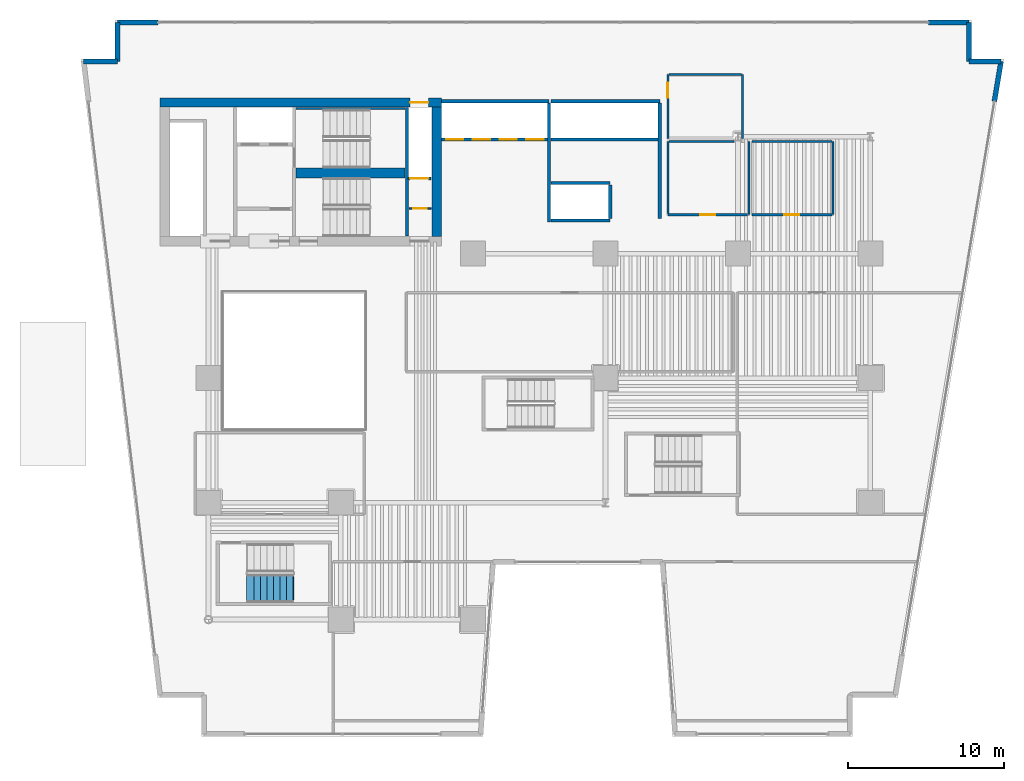
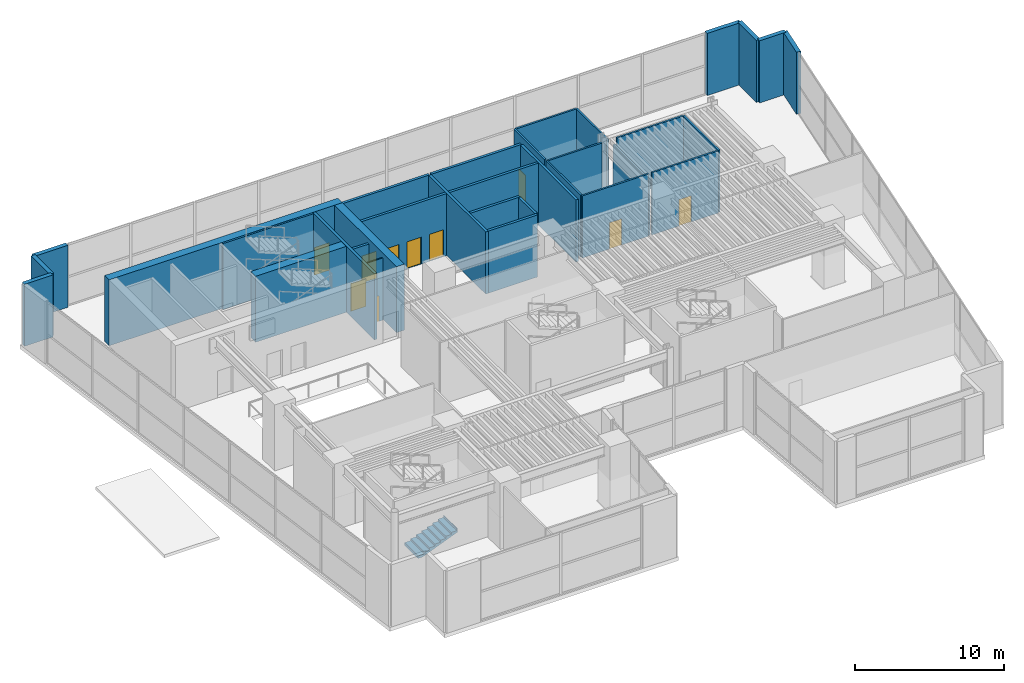
# One storey, part 11 of 17: 33 walls, 10 doors, 1 stair flight, 10 openings, 1 element without a shape of its own.
"""IFC4 building model written with IfcOpenShell, lengths in metres."""

from ifc_helpers import new_model, si_unit, direction, frame, frame_2d, origin, place, context, subcontext, project, spatial, polyline, rectangle, outline, extrude, material, layer, layer_set, type_object, element, fill, aggregate, save


model = new_model("IFC4")

# Units and contexts
model_context = context("Model", 3, precision=1e-05, world=origin(), true_north=direction((0.0, 1.0)))
body_context = subcontext(model_context, "Body", "Model", "MODEL_VIEW")
ifc_project = project(units=[si_unit("LENGTHUNIT", "METRE"), si_unit("AREAUNIT", "SQUARE_METRE"), si_unit("VOLUMEUNIT", "CUBIC_METRE"), si_unit("PLANEANGLEUNIT", "RADIAN"), si_unit("MASSUNIT", "GRAM", prefix="KILO")], contexts=[model_context])

# Site, building, storey
site_placement = place(None, origin())
site = spatial("IfcSite", under=ifc_project, at=site_placement, CompositionType="ELEMENT")
building_placement = place(site_placement, origin())
building = spatial("IfcBuilding", under=site, at=building_placement, Name="Caeloran Harvest Quay", CompositionType="ELEMENT")
storey_placement = place(building_placement, frame((0.0, 0.0, 5.39990234375)))
storey = spatial("IfcBuildingStorey", under=building, at=storey_placement, Name="L02", CompositionType="ELEMENT", Elevation=5.39990234375)

# Walls
ifc_material_1 = material(Name="Precast concrete C50/60", Category="concrete")
ifc_layer_1 = layer(ifc_material_1, 0.320068359375, Name="Precast concrete C50/60")
ifc_layer_set_1 = layer_set([ifc_layer_1], Name="Precast concrete C50/60")
wall_type_1 = type_object("IfcWallType", Name="ENV-WALL-EW-320", PredefinedType="STANDARD", material=ifc_layer_set_1)
wall_1_placement = place(storey_placement, frame((0.481689453125, 43.340087890625, 0.0), z_axis=(0.0, 0.0, 1.0), x_axis=(1.0, 0.0, 0.0)))
element("IfcWall", 1, at=wall_1_placement, inside=storey, type_object=wall_type_1, Name="L02 Exterior Precast Concrete Facade Wall 4", PredefinedType="STANDARD", context=body_context, shape_type="SweptSolid", body=[
    extrude(rectangle(XDim=2.17822265625, YDim=0.320068359375, at=frame_2d((1.089111328125, 0.0))), origin(), (0.0, 0.0, 1.0), 5.080078125),
])
wall_2_placement = place(storey_placement, frame((2.659912109375, 43.340087890625, 0.0), z_axis=(0.0, 0.0, 1.0), x_axis=(0.0, 1.0, 0.0)))
element("IfcWall", 2, at=wall_2_placement, inside=storey, type_object=wall_type_1, Name="L02 Exterior Precast Concrete Facade Wall 5", PredefinedType="STANDARD", context=body_context, shape_type="SweptSolid", body=[
    extrude(rectangle(XDim=2.5, YDim=0.320068359375, at=frame_2d((1.25, 0.0))), origin(), (0.0, 0.0, 1.0), 5.080078125),
])
for number, where, z_axis, x_axis, name in (
    (3, (2.659912109375, 45.840087890625, 0.0), (0.0, 0.0, 1.0), (1.0, 0.0, 0.0), "L02 Exterior Facade Corner Pier Wall 6A"),
    (4, (54.739990234375, 45.840087890625, 0.0), (0.0, 0.0, 1.0), (1.0, 0.0, 0.0), "L02 Exterior Facade Corner Pier Wall 6B"),
):
    element("IfcWall", number, at=place(storey_placement, frame(where, z_axis=z_axis, x_axis=x_axis)), inside=storey, type_object=wall_type_1, Name=name, PredefinedType="STANDARD", context=body_context, shape_type="SweptSolid", body=[
        extrude(rectangle(XDim=2.60009765625, YDim=0.320068359375, at=frame_2d((1.300048828125, 0.0))), origin(), (0.0, 0.0, 1.0), 5.080078125),
    ])
wall_3_placement = place(storey_placement, frame((57.340087890625, 45.840087890625, 0.0), z_axis=(0.0, 0.0, 1.0), x_axis=(0.0, -1.0, 0.0)))
element("IfcWall", 5, at=wall_3_placement, inside=storey, type_object=wall_type_1, Name="L02 Exterior Precast Concrete Facade Wall 7", PredefinedType="STANDARD", context=body_context, shape_type="SweptSolid", body=[
    extrude(rectangle(XDim=2.5, YDim=0.320068359375, at=frame_2d((1.25, 0.0))), origin(), (0.0, 0.0, 1.0), 5.080078125),
])
wall_4_placement = place(storey_placement, frame((57.340087890625, 43.340087890625, 0.0), z_axis=(0.0, 0.0, 1.0), x_axis=(1.0, 0.0, 0.0)))
element("IfcWall", 6, at=wall_4_placement, inside=storey, type_object=wall_type_1, Name="L02 Exterior Precast Concrete Facade Wall 8", PredefinedType="STANDARD", context=body_context, shape_type="SweptSolid", body=[
    extrude(rectangle(XDim=2.054931640625, YDim=0.320068359375, at=frame_2d((1.02734375, 0.0))), origin(), (0.0, 0.0, 1.0), 5.080078125),
])
wall_5_placement = place(storey_placement, frame((59.39501953125, 43.340087890625, 0.0), z_axis=(0.0, 0.0, 1.0), x_axis=(-0.164140117583, -0.986437033875, 0.0)))
element("IfcWall", 7, at=wall_5_placement, inside=storey, type_object=wall_type_1, Name="L02 Exterior Facade Corner Pier Wall 9A", PredefinedType="STANDARD", context=body_context, shape_type="SweptSolid", body=[
    extrude(rectangle(XDim=2.599853515625, YDim=0.320068359375, at=frame_2d((1.2998046875, 0.0))), origin(), (0.0, 0.0, 1.0), 5.080078125),
])

# Wall, opening, door
ifc_material_2 = material(Name="Fire-Resisting Gypsum Core Riser Partition", Category="gypsum")
ifc_layer_2 = layer(ifc_material_2, 0.10009765625, Name="Fire-Resisting Gypsum Core Riser Partition")
ifc_layer_set_2 = layer_set([ifc_layer_2], Name="Fire-Resisting Gypsum Core Riser Partition")
wall_type_2 = type_object("IfcWallType", Name="INT-WALL-PW-100", PredefinedType="PARTITIONING", material=ifc_layer_set_2)
wall_6_placement = place(storey_placement, frame((21.3798828125, 33.889892578125, 0.0), z_axis=(0.0, 0.0, 1.0), x_axis=(1.0, 0.0, 0.0)))
wall_6 = element("IfcWall", 8, at=wall_6_placement, inside=storey, type_object=wall_type_2, Name="L02 Cleaner Store Partition Wall", PredefinedType="PARTITIONING", context=body_context, shape_type="SweptSolid", body=[
    extrude(rectangle(XDim=1.420166015625, YDim=0.10009765625, at=frame_2d((0.7099609375, 0.0))), origin(), (0.0, 0.0, 1.0), 5.080078125),
])
opening_1_placement = place(wall_6_placement, frame((0.280029296875, 0.0, 0.0)))
opening_1 = element("IfcOpeningElement", 9, at=opening_1_placement, cuts=wall_6, Name="Opening SV-01", PredefinedType="OPENING", context=body_context, shape_type="SweptSolid", body=[
    extrude(rectangle(XDim=0.85009765625, YDim=2.10009765625, at=frame_2d((0.425048828125, 1.050048828125))), frame((0.0, 0.06005859375, 0.0), z_axis=(0.0, -1.0, 0.0), x_axis=(1.0, 0.0, 0.0)), (0.0, 0.0, 1.0), 0.1201171875),
])
ifc_material_3 = material(Name="Galvanized Painted Steel", Category="steel")
door_type_1 = type_object("IfcDoorType", Name="INTDOOR-SV-01", OperationType="NOTDEFINED", PredefinedType="DOOR", material=ifc_material_3)
door_1_placement = place(opening_1_placement, origin())
door_1 = element("IfcDoor", 10, at=door_1_placement, inside=storey, type_object=door_type_1, Name="L02 Cleaner Supply Store Access Door", OperationType="SINGLE_SWING_RIGHT", OverallHeight=2.10009765625, OverallWidth=0.85009765625, PredefinedType="DOOR", context=body_context, shape_type="SweptSolid", body=[
    extrude(rectangle(XDim=0.85009765625, YDim=2.10009765625, at=frame_2d((0.425048828125, 1.050048828125))), frame((0.0, 0.02490234375, 0.0), z_axis=(0.0, -1.0, 0.0), x_axis=(1.0, 0.0, 0.0)), (0.0, 0.0, 1.0), 0.050048828125),
])
fill(opening_1, door_1)

# Wall
ifc_material_4 = material(Name="Moisture-Resistant Cement-Board Sanitary Partition", Category="gypsum")
ifc_layer_3 = layer(ifc_material_4, 0.139892578125, Name="Moisture-Resistant Cement-Board Sanitary Partition")
ifc_layer_set_3 = layer_set([ifc_layer_3], Name="Moisture-Resistant Cement-Board Sanitary Partition")
wall_type_3 = type_object("IfcWallType", Name="INT-WALL-PW-140", PredefinedType="PARTITIONING", material=ifc_layer_set_3)
wall_7_placement = place(storey_placement, frame((43.199951171875, 38.199951171875, 0.0), z_axis=(0.0, 0.0, 1.0), x_axis=(0.0, -1.0, 0.0)))
element("IfcWall", 11, at=wall_7_placement, inside=storey, type_object=wall_type_3, Name="L02 Public Male Washroom WC Partition Wall", PredefinedType="PARTITIONING", context=body_context, shape_type="SweptSolid", body=[
    extrude(rectangle(XDim=4.699951171875, YDim=0.139892578125, at=frame_2d((2.35009765625, 0.0))), origin(), (0.0, 0.0, 1.0), 4.614990234375),
])

# Wall, opening, door
wall_8_placement = place(storey_placement, frame((43.125, 33.5, 0.0), z_axis=(0.0, 0.0, 1.0), x_axis=(-1.0, 0.0, 0.0)))
wall_8 = element("IfcWall", 12, at=wall_8_placement, inside=storey, type_object=wall_type_3, Name="L02 Public Male Washroom WC Partition Wall", PredefinedType="PARTITIONING", context=body_context, shape_type="SweptSolid", body=[
    extrude(rectangle(XDim=5.125, YDim=0.139892578125, at=frame_2d((2.5625, 0.0))), origin(), (0.0, 0.0, 1.0), 5.080078125),
])
opening_2_placement = place(wall_8_placement, frame((2.08740234375, 0.0, 0.0)))
opening_2 = element("IfcOpeningElement", 13, at=opening_2_placement, cuts=wall_8, Name="Opening WC-01", PredefinedType="OPENING", context=body_context, shape_type="SweptSolid", body=[
    extrude(rectangle(XDim=0.949951171875, YDim=2.14990234375, at=frame_2d((0.47509765625, 1.074951171875))), frame((0.0, 0.080078125, 0.0), z_axis=(0.0, -1.0, 0.0), x_axis=(1.0, 0.0, 0.0)), (0.0, 0.0, 1.0), 0.159912109375),
])
ifc_material_5 = material(Name="High-Pressure Laminate Moisture-Resistant Timber", Category="wood")
door_type_2 = type_object("IfcDoorType", Name="INTDOOR-WC-01", OperationType="NOTDEFINED", PredefinedType="DOOR", material=ifc_material_5)
door_2_placement = place(opening_2_placement, origin())
door_2 = element("IfcDoor", 14, at=door_2_placement, inside=storey, type_object=door_type_2, Name="L02 Public Male Washroom WC Access Door", OperationType="SINGLE_SWING_RIGHT", OverallHeight=2.14990234375, OverallWidth=0.949951171875, PredefinedType="DOOR", context=body_context, shape_type="SweptSolid", body=[
    extrude(rectangle(XDim=0.949951171875, YDim=2.14990234375, at=frame_2d((0.47509765625, 1.074951171875))), frame((0.0, 0.02490234375, 0.0), z_axis=(0.0, -1.0, 0.0), x_axis=(1.0, 0.0, 0.0)), (0.0, 0.0, 1.0), 0.050048828125),
])
fill(opening_2, door_2)

# Walls
wall_9_placement = place(storey_placement, frame((38.0, 33.574951171875, 0.0), z_axis=(0.0, 0.0, 1.0), x_axis=(0.0, 1.0, 0.0)))
element("IfcWall", 15, at=wall_9_placement, inside=storey, type_object=wall_type_3, Name="L02 Public Male Washroom WC Partition Wall", PredefinedType="PARTITIONING", context=body_context, shape_type="SweptSolid", body=[
    extrude(rectangle(XDim=4.625, YDim=0.139892578125, at=frame_2d((2.3125, 0.0))), origin(), (0.0, 0.0, 1.0), 5.080078125),
])
wall_10_placement = place(storey_placement, frame((38.074951171875, 38.199951171875, 0.0), z_axis=(0.0, 0.0, 1.0), x_axis=(1.0, 0.0, 0.0)))
element("IfcWall", 16, at=wall_10_placement, inside=storey, type_object=wall_type_3, Name="L02 Public Male Washroom WC Partition Wall", PredefinedType="PARTITIONING", context=body_context, shape_type="SweptSolid", body=[
    extrude(rectangle(XDim=4.173095703125, YDim=0.139892578125, at=frame_2d((2.08642578125, 0.0))), origin(), (0.0, 0.0, 1.0), 5.080078125),
])
wall_11_placement = place(storey_placement, frame((48.60009765625, 38.199951171875, 0.0), z_axis=(0.0, 0.0, 1.0), x_axis=(0.0, -1.0, 0.0)))
element("IfcWall", 17, at=wall_11_placement, inside=storey, type_object=wall_type_3, Name="L02 Public Female Washroom WC Partition Wall", PredefinedType="PARTITIONING", context=body_context, shape_type="SweptSolid", body=[
    extrude(rectangle(XDim=4.699951171875, YDim=0.139892578125, at=frame_2d((2.35009765625, 0.0))), origin(), (0.0, 0.0, 1.0), 5.080078125),
])

# Wall, opening, door
wall_12_placement = place(storey_placement, frame((48.52490234375, 33.5, 0.0), z_axis=(0.0, 0.0, 1.0), x_axis=(-1.0, 0.0, 0.0)))
wall_12 = element("IfcWall", 18, at=wall_12_placement, inside=storey, type_object=wall_type_3, Name="L02 Public Female Washroom WC Partition Wall", PredefinedType="PARTITIONING", context=body_context, shape_type="SweptSolid", body=[
    extrude(rectangle(XDim=5.125, YDim=0.139892578125, at=frame_2d((2.5625, 0.0))), origin(), (0.0, 0.0, 1.0), 5.080078125),
])
opening_3_placement = place(wall_12_placement, frame((2.08740234375, 0.0, 0.0)))
opening_3 = element("IfcOpeningElement", 19, at=opening_3_placement, cuts=wall_12, Name="Opening WC-01", PredefinedType="OPENING", context=body_context, shape_type="SweptSolid", body=[
    extrude(rectangle(XDim=0.949951171875, YDim=2.14990234375, at=frame_2d((0.47509765625, 1.074951171875))), frame((0.0, 0.080078125, 0.0), z_axis=(0.0, -1.0, 0.0), x_axis=(1.0, 0.0, 0.0)), (0.0, 0.0, 1.0), 0.159912109375),
])
door_3_placement = place(opening_3_placement, origin())
door_3 = element("IfcDoor", 20, at=door_3_placement, inside=storey, type_object=door_type_2, Name="L02 Public Female Washroom WC Access Door", OperationType="SINGLE_SWING_LEFT", OverallHeight=2.14990234375, OverallWidth=0.949951171875, PredefinedType="DOOR", context=body_context, shape_type="SweptSolid", body=[
    extrude(rectangle(XDim=0.949951171875, YDim=2.14990234375, at=frame_2d((0.47509765625, 1.074951171875))), frame((0.0, 0.02490234375, 0.0), z_axis=(0.0, -1.0, 0.0), x_axis=(1.0, 0.0, 0.0)), (0.0, 0.0, 1.0), 0.050048828125),
])
fill(opening_3, door_3)

# Walls
wall_13_placement = place(storey_placement, frame((43.39990234375, 38.199951171875, 0.0), z_axis=(0.0, 0.0, 1.0), x_axis=(1.0, 0.0, 0.0)))
element("IfcWall", 21, at=wall_13_placement, inside=storey, type_object=wall_type_3, Name="L02 Public Female Washroom WC Partition Wall", PredefinedType="PARTITIONING", context=body_context, shape_type="SweptSolid", body=[
    extrude(rectangle(XDim=5.125, YDim=0.139892578125, at=frame_2d((2.5625, 0.0))), origin(), (0.0, 0.0, 1.0), 5.080078125),
])
wall_14_placement = place(storey_placement, frame((42.800048828125, 42.5, 0.0), z_axis=(0.0, 0.0, 1.0), x_axis=(0.0, -1.0, 0.0)))
element("IfcWall", 22, at=wall_14_placement, inside=storey, type_object=wall_type_3, Name="L02 Accessible Unisex Washroom WC Partition Wall", PredefinedType="PARTITIONING", context=body_context, shape_type="SweptSolid", body=[
    extrude(rectangle(XDim=4.10009765625, YDim=0.139892578125, at=frame_2d((2.050048828125, 0.0))), origin(), (0.0, 0.0, 1.0), 5.080078125),
])

# Wall, opening, door
wall_15_placement = place(storey_placement, frame((38.0, 38.39990234375, 0.0), z_axis=(0.0, 0.0, 1.0), x_axis=(0.0, 1.0, 0.0)))
wall_15 = element("IfcWall", 23, at=wall_15_placement, inside=storey, type_object=wall_type_3, Name="L02 Accessible Unisex Washroom WC Partition Wall", PredefinedType="PARTITIONING", context=body_context, shape_type="SweptSolid", body=[
    extrude(rectangle(XDim=4.10009765625, YDim=0.139892578125, at=frame_2d((2.050048828125, 0.0))), origin(), (0.0, 0.0, 1.0), 5.080078125),
])
opening_4_placement = place(wall_15_placement, frame((2.62255859375, 0.0, 0.0)))
opening_4 = element("IfcOpeningElement", 24, at=opening_4_placement, cuts=wall_15, Name="Opening WC-01", PredefinedType="OPENING", context=body_context, shape_type="SweptSolid", body=[
    extrude(rectangle(XDim=0.949951171875, YDim=2.14990234375, at=frame_2d((0.47509765625, 1.074951171875))), frame((0.0, 0.080078125, 0.0), z_axis=(0.0, -1.0, 0.0), x_axis=(1.0, 0.0, 0.0)), (0.0, 0.0, 1.0), 0.159912109375),
])
door_4_placement = place(opening_4_placement, origin())
door_4 = element("IfcDoor", 25, at=door_4_placement, inside=storey, type_object=door_type_2, Name="L02 Accessible Unisex Washroom WC Access Door", OperationType="SINGLE_SWING_LEFT", OverallHeight=2.14990234375, OverallWidth=0.949951171875, PredefinedType="DOOR", context=body_context, shape_type="SweptSolid", body=[
    extrude(rectangle(XDim=0.949951171875, YDim=2.14990234375, at=frame_2d((0.47509765625, 1.074951171875))), frame((0.0, 0.02490234375, 0.0), z_axis=(0.0, -1.0, 0.0), x_axis=(1.0, 0.0, 0.0)), (0.0, 0.0, 1.0), 0.050048828125),
])
fill(opening_4, door_4)

# Wall
wall_16_placement = place(storey_placement, frame((38.074951171875, 42.5, 0.0), z_axis=(0.0, 0.0, 1.0), x_axis=(1.0, 0.0, 0.0)))
element("IfcWall", 26, at=wall_16_placement, inside=storey, type_object=wall_type_3, Name="L02 Accessible Unisex Washroom WC Partition Wall", PredefinedType="PARTITIONING", context=body_context, shape_type="SweptSolid", body=[
    extrude(rectangle(XDim=4.650146484375, YDim=0.139892578125, at=frame_2d((2.3251953125, 0.0))), origin(), (0.0, 0.0, 1.0), 5.080078125),
])

# Wall, opening, door
ifc_material_6 = material(Name="Concrete C50/60", Category="concrete")
ifc_layer_4 = layer(ifc_material_6, 0.199951171875, Name="Concrete C50/60")
ifc_layer_set_4 = layer_set([ifc_layer_4], Name="Concrete C50/60")
wall_type_4 = type_object("IfcWallType", Name="INT-WALL-SW-200", PredefinedType="PARTITIONING", material=ifc_layer_set_4)
wall_17_placement = place(storey_placement, frame((21.300048828125, 35.820068359375, 0.0), z_axis=(0.0, 0.0, 1.0), x_axis=(1.0, 0.0, 0.0)))
wall_17 = element("IfcWall", 27, at=wall_17_placement, inside=storey, type_object=wall_type_4, Name="L02 Service Lift SV-2 Shaft Wall", PredefinedType="PARTITIONING", context=body_context, shape_type="SweptSolid", body=[
    extrude(rectangle(XDim=1.5, YDim=0.199951171875, at=frame_2d((0.75, 0.0))), origin(), (0.0, 0.0, 1.0), 5.080078125),
])
opening_5_placement = place(wall_17_placement, frame((0.14501953125, 0.0, 0.0)))
opening_5 = element("IfcOpeningElement", 28, at=opening_5_placement, cuts=wall_17, Name="Opening LD-02", PredefinedType="OPENING", context=body_context, shape_type="SweptSolid", body=[
    extrude(rectangle(XDim=1.179931640625, YDim=2.25, at=frame_2d((0.58984375, 1.125))), frame((0.0, 0.10986328125, 0.0), z_axis=(0.0, -1.0, 0.0), x_axis=(1.0, 0.0, 0.0)), (0.0, 0.0, 1.0), 0.219970703125),
])
ifc_material_7 = material(Name="Stainless Steel Grade 316", Category="steel")
door_type_3 = type_object("IfcDoorType", Name="INTDOOR-LD-02", OperationType="NOTDEFINED", PredefinedType="DOOR", material=ifc_material_7)
door_5_placement = place(opening_5_placement, origin())
door_5 = element("IfcDoor", 29, at=door_5_placement, inside=storey, type_object=door_type_3, Name="Lift SV-2 Sliding Landing Door (L02)", OperationType="DOUBLE_DOOR_SLIDING", OverallHeight=2.25, OverallWidth=1.179931640625, PredefinedType="DOOR", context=body_context, shape_type="SweptSolid", body=[
    extrude(rectangle(XDim=1.179931640625, YDim=2.25, at=frame_2d((0.58984375, 1.125))), frame((0.0, 0.02490234375, 0.0), z_axis=(0.0, -1.0, 0.0), x_axis=(1.0, 0.0, 0.0)), (0.0, 0.0, 1.0), 0.050048828125),
])
fill(opening_5, door_5)

# Walls
wall_18_placement = place(storey_placement, frame((23.469970703125, 40.780029296875, 0.0), z_axis=(0.0, 0.0, 1.0), x_axis=(1.0, 0.0, 0.0)))
element("IfcWall", 30, at=wall_18_placement, inside=storey, type_object=wall_type_4, Name="L02 Bank 1 Lift Shaft North Wall", PredefinedType="PARTITIONING", context=body_context, shape_type="SweptSolid", body=[
    extrude(rectangle(XDim=6.909912109375, YDim=0.199951171875, at=frame_2d((3.455078125, 0.0))), origin(), (0.0, 0.0, 1.0), 5.080078125),
])
wall_19_placement = place(storey_placement, frame((30.3798828125, 33.02001953125, 0.0), z_axis=(0.0, 0.0, 1.0), x_axis=(0.0, 1.0, 0.0)))
element("IfcWall", 31, at=wall_19_placement, inside=storey, type_object=wall_type_4, Name="L02 Bank 1 Lift Shaft East Wall", PredefinedType="PARTITIONING", context=body_context, shape_type="SweptSolid", body=[
    extrude(rectangle(XDim=7.639892578125, YDim=0.199951171875, at=frame_2d((3.81982421875, 0.0))), origin(), (0.0, 0.0, 1.0), 5.080078125),
])

# Wall, openings, doors
wall_20_placement = place(storey_placement, frame((23.469970703125, 38.320068359375, 0.0), z_axis=(0.0, 0.0, 1.0), x_axis=(1.0, 0.0, 0.0)))
wall_20 = element("IfcWall", 32, at=wall_20_placement, inside=storey, type_object=wall_type_4, Name="L02 Bank 1 Lift Landing Front Wall", PredefinedType="PARTITIONING", context=body_context, shape_type="SweptSolid", body=[
    extrude(rectangle(XDim=6.7900390625, YDim=0.199951171875, at=frame_2d((3.39501953125, 0.0))), origin(), (0.0, 0.0, 1.0), 5.080078125),
])
opening_6_placement = place(wall_20_placement, frame((0.2900390625, 0.0, 0.0)))
opening_6 = element("IfcOpeningElement", 33, at=opening_6_placement, cuts=wall_20, Name="Opening LD-01", PredefinedType="OPENING", context=body_context, shape_type="SweptSolid", body=[
    extrude(rectangle(XDim=1.10009765625, YDim=2.199951171875, at=frame_2d((0.550048828125, 1.10009765625))), frame((0.0, 0.10986328125, 0.0), z_axis=(0.0, -1.0, 0.0), x_axis=(1.0, 0.0, 0.0)), (0.0, 0.0, 1.0), 0.219970703125),
])
opening_7_placement = place(wall_20_placement, frame((2.010009765625, 0.0, 0.0)))
opening_7 = element("IfcOpeningElement", 34, at=opening_7_placement, cuts=wall_20, Name="Opening LD-01", PredefinedType="OPENING", context=body_context, shape_type="SweptSolid", body=[
    extrude(rectangle(XDim=1.10009765625, YDim=2.199951171875, at=frame_2d((0.550048828125, 1.10009765625))), frame((0.0, 0.10986328125, 0.0), z_axis=(0.0, -1.0, 0.0), x_axis=(1.0, 0.0, 0.0)), (0.0, 0.0, 1.0), 0.219970703125),
])
opening_8_placement = place(wall_20_placement, frame((3.72998046875, 0.0, 0.0)))
opening_8 = element("IfcOpeningElement", 35, at=opening_8_placement, cuts=wall_20, Name="Opening LD-01", PredefinedType="OPENING", context=body_context, shape_type="SweptSolid", body=[
    extrude(rectangle(XDim=1.10009765625, YDim=2.199951171875, at=frame_2d((0.550048828125, 1.10009765625))), frame((0.0, 0.10986328125, 0.0), z_axis=(0.0, -1.0, 0.0), x_axis=(1.0, 0.0, 0.0)), (0.0, 0.0, 1.0), 0.219970703125),
])
opening_9_placement = place(wall_20_placement, frame((5.449951171875, 0.0, 0.0)))
opening_9 = element("IfcOpeningElement", 36, at=opening_9_placement, cuts=wall_20, Name="Opening LD-01", PredefinedType="OPENING", context=body_context, shape_type="SweptSolid", body=[
    extrude(rectangle(XDim=1.10009765625, YDim=2.199951171875, at=frame_2d((0.550048828125, 1.10009765625))), frame((0.0, 0.10986328125, 0.0), z_axis=(0.0, -1.0, 0.0), x_axis=(1.0, 0.0, 0.0)), (0.0, 0.0, 1.0), 0.219970703125),
])
door_type_4 = type_object("IfcDoorType", Name="INTDOOR-LD-01", OperationType="NOTDEFINED", PredefinedType="DOOR", material=ifc_material_7)
door_6_placement = place(opening_6_placement, origin())
door_6 = element("IfcDoor", 37, at=door_6_placement, inside=storey, type_object=door_type_4, Name="Lift P1-1 Sliding Landing Door (L02)", OperationType="DOUBLE_DOOR_SLIDING", OverallHeight=2.199951171875, OverallWidth=1.10009765625, PredefinedType="DOOR", context=body_context, shape_type="SweptSolid", body=[
    extrude(rectangle(XDim=1.10009765625, YDim=2.199951171875, at=frame_2d((0.550048828125, 1.10009765625))), frame((0.0, 0.02490234375, 0.0), z_axis=(0.0, -1.0, 0.0), x_axis=(1.0, 0.0, 0.0)), (0.0, 0.0, 1.0), 0.050048828125),
])
fill(opening_6, door_6)
door_7_placement = place(opening_7_placement, origin())
door_7 = element("IfcDoor", 38, at=door_7_placement, inside=storey, type_object=door_type_4, Name="Lift P1-2 Sliding Landing Door (L02)", OperationType="DOUBLE_DOOR_SLIDING", OverallHeight=2.199951171875, OverallWidth=1.10009765625, PredefinedType="DOOR", context=body_context, shape_type="SweptSolid", body=[
    extrude(rectangle(XDim=1.10009765625, YDim=2.199951171875, at=frame_2d((0.550048828125, 1.10009765625))), frame((0.0, 0.02490234375, 0.0), z_axis=(0.0, -1.0, 0.0), x_axis=(1.0, 0.0, 0.0)), (0.0, 0.0, 1.0), 0.050048828125),
])
fill(opening_7, door_7)
door_8_placement = place(opening_8_placement, origin())
door_8 = element("IfcDoor", 39, at=door_8_placement, inside=storey, type_object=door_type_4, Name="Lift P1-3 Sliding Landing Door (L02)", OperationType="DOUBLE_DOOR_SLIDING", OverallHeight=2.199951171875, OverallWidth=1.10009765625, PredefinedType="DOOR", context=body_context, shape_type="SweptSolid", body=[
    extrude(rectangle(XDim=1.10009765625, YDim=2.199951171875, at=frame_2d((0.550048828125, 1.10009765625))), frame((0.0, 0.02490234375, 0.0), z_axis=(0.0, -1.0, 0.0), x_axis=(1.0, 0.0, 0.0)), (0.0, 0.0, 1.0), 0.050048828125),
])
fill(opening_8, door_8)
door_9_placement = place(opening_9_placement, origin())
door_9 = element("IfcDoor", 40, at=door_9_placement, inside=storey, type_object=door_type_4, Name="Lift P1-4 Sliding Landing Door (L02)", OperationType="DOUBLE_DOOR_SLIDING", OverallHeight=2.199951171875, OverallWidth=1.10009765625, PredefinedType="DOOR", context=body_context, shape_type="SweptSolid", body=[
    extrude(rectangle(XDim=1.10009765625, YDim=2.199951171875, at=frame_2d((0.550048828125, 1.10009765625))), frame((0.0, 0.02490234375, 0.0), z_axis=(0.0, -1.0, 0.0), x_axis=(1.0, 0.0, 0.0)), (0.0, 0.0, 1.0), 0.050048828125),
])
fill(opening_9, door_9)

# Walls
wall_21_placement = place(storey_placement, frame((30.5, 40.780029296875, 0.0), z_axis=(0.0, 0.0, 1.0), x_axis=(1.0, 0.0, 0.0)))
element("IfcWall", 41, at=wall_21_placement, inside=storey, type_object=wall_type_4, Name="L02 Bank 2 Lift Shaft North Wall", PredefinedType="PARTITIONING", context=body_context, shape_type="SweptSolid", body=[
    extrude(rectangle(XDim=6.97998046875, YDim=0.199951171875, at=frame_2d((3.489990234375, 0.0))), origin(), (0.0, 0.0, 1.0), 5.080078125),
])
wall_22_placement = place(storey_placement, frame((37.47998046875, 33.239990234375, 0.0), z_axis=(0.0, 0.0, 1.0), x_axis=(0.0, 1.0, 0.0)))
element("IfcWall", 42, at=wall_22_placement, inside=storey, type_object=wall_type_4, Name="L02 Bank 2 Lift Shaft East Wall", PredefinedType="PARTITIONING", context=body_context, shape_type="SweptSolid", body=[
    extrude(rectangle(XDim=7.419921875, YDim=0.199951171875, at=frame_2d((3.7099609375, 0.0))), origin(), (0.0, 0.0, 1.0), 5.080078125),
])
wall_23_placement = place(storey_placement, frame((30.5, 38.320068359375, 0.0), z_axis=(0.0, 0.0, 1.0), x_axis=(1.0, 0.0, 0.0)))
element("IfcWall", 43, at=wall_23_placement, inside=storey, type_object=wall_type_4, Name="L02 Bank 2 Lift Landing Front Wall", PredefinedType="PARTITIONING", context=body_context, shape_type="SweptSolid", body=[
    extrude(rectangle(XDim=6.860107421875, YDim=0.199951171875, at=frame_2d((3.43017578125, 0.0))), origin(), (0.0, 0.0, 1.0), 5.080078125),
])
for number, where, z_axis, x_axis, name in (
    (44, (30.5, 35.530029296875, 0.0), (0.0, 0.0, 1.0), (1.0, 0.0, 0.0), "L02 Shuttle Lift Landing Front Wall"),
    (45, (30.5, 33.1201171875, 0.0), (0.0, 0.0, 1.0), (1.0, 0.0, 0.0), "L02 Shuttle Lift Shaft South Wall"),
):
    element("IfcWall", number, at=place(storey_placement, frame(where, z_axis=z_axis, x_axis=x_axis)), inside=storey, type_object=wall_type_4, Name=name, PredefinedType="PARTITIONING", context=body_context, shape_type="SweptSolid", body=[
        extrude(rectangle(XDim=3.800048828125, YDim=0.199951171875, at=frame_2d((1.89990234375, 0.0))), origin(), (0.0, 0.0, 1.0), 5.080078125),
    ])
wall_24_placement = place(storey_placement, frame((34.300048828125, 33.239990234375, 0.0), z_axis=(0.0, 0.0, 1.0), x_axis=(0.0, 1.0, 0.0)))
element("IfcWall", 46, at=wall_24_placement, inside=storey, type_object=wall_type_4, Name="L02 Shuttle Lift Shaft East Wall", PredefinedType="PARTITIONING", context=body_context, shape_type="SweptSolid", body=[
    extrude(rectangle(XDim=2.169921875, YDim=0.199951171875, at=frame_2d((1.0849609375, 0.0))), origin(), (0.0, 0.0, 1.0), 5.080078125),
])

# Wall, opening, door
ifc_material_8 = material(Name="Concrete C80/95", Category="concrete")
ifc_layer_5 = layer(ifc_material_8, 0.60009765625, Name="Concrete C80/95")
ifc_layer_set_5 = layer_set([ifc_layer_5], Name="Concrete C80/95")
wall_type_5 = type_object("IfcWallType", Name="STR-WALL-CW-600", PredefinedType="SHEAR", material=ifc_layer_set_5)
wall_25_placement = place(storey_placement, frame((5.39990234375, 40.699951171875, 0.0), z_axis=(0.0, 0.0, 1.0), x_axis=(1.0, 0.0, 0.0)))
wall_25 = element("IfcWall", 47, at=wall_25_placement, inside=storey, type_object=wall_type_5, Name="L02 Rear Core Shear Wall N", PredefinedType="SHEAR", context=body_context, shape_type="SweptSolid", body=[
    extrude(rectangle(XDim=18.050048828125, YDim=0.60009765625, at=frame_2d((9.02490234375, 0.0))), origin(), (0.0, 0.0, 1.0), 5.400146484375),
])
opening_10_placement = place(wall_25_placement, frame((16.044921875, 0.0, 0.0)))
opening_10 = element("IfcOpeningElement", 48, at=opening_10_placement, cuts=wall_25, Name="Opening LD-02", PredefinedType="OPENING", context=body_context, shape_type="SweptSolid", body=[
    extrude(rectangle(XDim=1.179931640625, YDim=2.25, at=frame_2d((0.58984375, 1.125))), frame((0.0, 0.31005859375, 0.0), z_axis=(0.0, -1.0, 0.0), x_axis=(1.0, 0.0, 0.0)), (0.0, 0.0, 1.0), 0.6201171875),
])
door_10_placement = place(opening_10_placement, origin())
door_10 = element("IfcDoor", 49, at=door_10_placement, inside=storey, type_object=door_type_3, Name="Lift SV-1 Sliding Landing Door (L02)", OperationType="DOUBLE_DOOR_SLIDING", OverallHeight=2.25, OverallWidth=1.179931640625, PredefinedType="DOOR", context=body_context, shape_type="SweptSolid", body=[
    extrude(rectangle(XDim=1.179931640625, YDim=2.25, at=frame_2d((0.58984375, 1.125))), frame((0.0, 0.02490234375, 0.0), z_axis=(0.0, -1.0, 0.0), x_axis=(1.0, 0.0, 0.0)), (0.0, 0.0, 1.0), 0.050048828125),
])
fill(opening_10, door_10)

# Walls
wall_26_placement = place(storey_placement, frame((23.14990234375, 32.10009765625, 0.0), z_axis=(0.0, 0.0, 1.0), x_axis=(0.0, 1.0, 0.0)))
element("IfcWall", 50, at=wall_26_placement, inside=storey, type_object=wall_type_5, Name="L02 Rear Core Shear Wall E", PredefinedType="SHEAR", context=body_context, shape_type="SweptSolid", body=[
    extrude(rectangle(XDim=8.2998046875, YDim=0.60009765625, at=frame_2d((4.14990234375, 0.0))), origin(), (0.0, 0.0, 1.0), 5.400146484375),
])
ifc_material_9 = material(Name="Concrete C60/75", Category="concrete")
ifc_layer_6 = layer(ifc_material_9, 0.64990234375, Name="Concrete C60/75")
ifc_layer_set_6 = layer_set([ifc_layer_6], Name="Concrete C60/75")
wall_type_6 = type_object("IfcWallType", Name="STR-WALL-CW-650", PredefinedType="SHEAR", material=ifc_layer_set_6)
wall_27_placement = place(storey_placement, frame((14.1201171875, 36.175048828125, 0.0), z_axis=(0.0, 0.0, 1.0), x_axis=(1.0, 0.0, 0.0)))
element("IfcWall", 51, at=wall_27_placement, inside=storey, type_object=wall_type_6, Name="L02 Core Stairs Dividing Shear Wall", PredefinedType="SHEAR", context=body_context, shape_type="SweptSolid", body=[
    extrude(rectangle(XDim=7.009765625, YDim=0.64990234375, at=frame_2d((3.5048828125, 0.0))), origin(), (0.0, 0.0, 1.0), 5.400146484375),
])
ifc_layer_7 = layer(ifc_material_9, 0.139892578125, Name="Concrete C60/75")
ifc_layer_set_7 = layer_set([ifc_layer_7], Name="Concrete C60/75")
wall_type_7 = type_object("IfcWallType", Name="STR-WALL-SW-140", PredefinedType="SHEAR", material=ifc_layer_set_7)
wall_28_placement = place(storey_placement, frame((14.1201171875, 40.320068359375, 0.0), z_axis=(0.0, 0.0, 1.0), x_axis=(1.0, 0.0, 0.0)))
element("IfcWall", 52, at=wall_28_placement, inside=storey, type_object=wall_type_7, Name="L02 Core Stair ST-C1 North Bearing Shear Wall", PredefinedType="SHEAR", context=body_context, shape_type="SweptSolid", body=[
    extrude(rectangle(XDim=7.009765625, YDim=0.139892578125, at=frame_2d((3.5048828125, 0.0))), origin(), (0.0, 0.0, 1.0), 5.400146484375),
])
ifc_layer_8 = layer(ifc_material_9, 0.199951171875, Name="Concrete C60/75")
ifc_layer_set_8 = layer_set([ifc_layer_8], Name="Concrete C60/75")
wall_type_8 = type_object("IfcWallType", Name="STR-WALL-SW-200", PredefinedType="SHEAR", material=ifc_layer_set_8)
wall_29_placement = place(storey_placement, frame((21.25, 32.1201171875, 0.0), z_axis=(0.0, 0.0, 1.0), x_axis=(0.0, 1.0, 0.0)))
element("IfcWall", 53, at=wall_29_placement, inside=storey, type_object=wall_type_8, Name="L02 Core Stair Shaft East Shear Wall", PredefinedType="SHEAR", context=body_context, shape_type="SweptSolid", body=[
    extrude(rectangle(XDim=8.259765625, YDim=0.199951171875, at=frame_2d((4.1298828125, 0.0))), origin(), (0.0, 0.0, 1.0), 5.400146484375),
])

# Stair, stair flight
stair_type = type_object("IfcStairType", Name="STAIR-STP-180", PredefinedType="HALF_TURN_STAIR", material=ifc_material_6)
stair_placement = place(storey_placement, origin())
stair = element("IfcStair", 54, at=stair_placement, inside=storey, type_object=stair_type, Name="L02 Podium West Public Exit Stair ST-P1", PredefinedType="HALF_TURN_STAIR")
stair_flight_type = type_object("IfcStairFlightType", Name="FLIGHT-STP-180", PredefinedType="STRAIGHT", material=ifc_material_6)
stair_flight_placement = place(storey_placement, frame((11.0, 9.5, 0.0), z_axis=(0.0, 0.0, 1.0), x_axis=(1.0, 0.0, 0.0)))
stair_flight = element("IfcStairFlight", 55, at=stair_flight_placement, type_object=stair_flight_type, Name="ST-P1 flight 1", NumberOfRisers=8, NumberOfTreads=7, PredefinedType="STRAIGHT", RiserHeight=0.16875, TreadLength=0.42, context=body_context, shape_type="SweptSolid", body=[
    extrude(outline(polyline([(-0.054931640625, -0.044921875), (-0.054931640625, -0.03173828125), (-0.054931640625, -0.018310546875), (-0.054931640625, -0.0048828125), (-0.054931640625, 0.008544921875), (-0.054931640625, 0.021728515625), (-0.054931640625, 0.03515625), (-0.054931640625, 0.048583984375), (-0.054931640625, 0.061767578125), (-0.054931640625, 0.0751953125), (-0.054931640625, 0.088623046875), (-0.054931640625, 0.10205078125), (-0.054931640625, 0.115234375), (-0.054931640625, 0.128662109375), (-0.054931640625, 0.14208984375), (-0.054931640625, 0.1552734375), (-0.054931640625, 0.168701171875), (0.419921875, 0.168701171875), (0.419921875, 0.33740234375), (0.840087890625, 0.33740234375), (0.840087890625, 0.50634765625), (1.260009765625, 0.50634765625), (1.260009765625, 0.675048828125), (1.679931640625, 0.675048828125), (1.679931640625, 0.84375), (2.10009765625, 0.84375), (2.10009765625, 1.012451171875), (2.52001953125, 1.012451171875), (2.52001953125, 1.18115234375), (2.93994140625, 1.18115234375), (2.93994140625, 1.35009765625), (2.9951171875, 1.35009765625), (2.9951171875, 1.329345703125), (2.9951171875, 1.30859375), (2.9951171875, 1.2880859375), (2.9951171875, 1.267333984375), (2.9951171875, 1.246826171875), (2.9951171875, 1.22607421875), (2.9951171875, 1.20556640625), (2.9951171875, 1.184814453125), (2.9951171875, 1.164306640625), (2.9951171875, 1.1435546875), (2.9951171875, 1.122802734375), (2.9951171875, 1.102294921875), (2.9951171875, 1.08154296875), (2.9951171875, 1.06103515625), (2.9951171875, 1.040283203125), (2.9951171875, 1.019775390625), (2.93994140625, 1.019775390625), (0.2900390625, -0.044921875), (-0.054931640625, -0.044921875)])), frame((0.0, 0.89990234375, 0.0), z_axis=(0.0, -1.0, 0.0), x_axis=(1.0, 0.0, 0.0)), (0.0, 0.0, 1.0), 1.800048828125),
])
aggregate(stair, [stair_flight])

save(model, "model.ifc")
